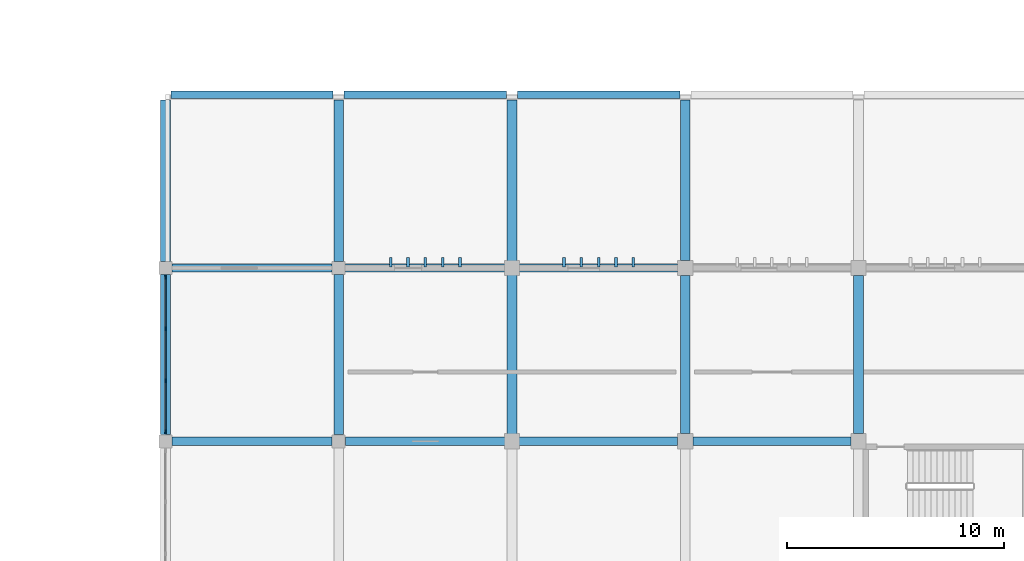
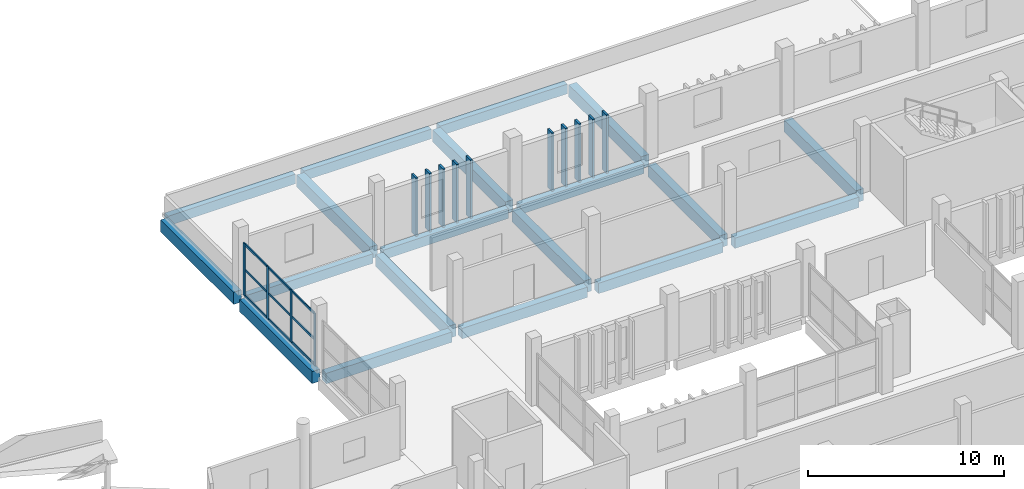
# One storey, part 34 of 137: 23 members, 19 beams, 1 element without a shape of its own.
"""IFC4 building model written with IfcOpenShell, lengths in metres."""

from ifc_helpers import new_model, si_unit, direction, frame, origin, origin_2d, place, context, subcontext, project, spatial, rectangle, extrude, material, layer, layer_set, material_profile, profile_set, type_object, element, aggregate, save


model = new_model("IFC4")

# Units and contexts
model_context = context("Model", 3, precision=1e-05, world=origin(), true_north=direction((0.0, 1.0)))
body_context = subcontext(model_context, "Body", "Model", "MODEL_VIEW")
ifc_project = project(units=[si_unit("LENGTHUNIT", "METRE"), si_unit("AREAUNIT", "SQUARE_METRE"), si_unit("VOLUMEUNIT", "CUBIC_METRE"), si_unit("PLANEANGLEUNIT", "RADIAN"), si_unit("MASSUNIT", "GRAM", prefix="KILO")], contexts=[model_context])

# Site, building, storey
site_placement = place(None, origin())
site = spatial("IfcSite", under=ifc_project, at=site_placement, CompositionType="ELEMENT")
building_placement = place(site_placement, origin())
building = spatial("IfcBuilding", under=site, at=building_placement, Name="Jelvoka-Kovrelna Polytechnic", CompositionType="ELEMENT")
storey_placement = place(building_placement, frame((0.0, 0.0, 9.60009765625)))
storey = spatial("IfcBuildingStorey", under=building, at=storey_placement, Name="L03", CompositionType="ELEMENT", Elevation=9.60009765625)

# Beams
ifc_material_1 = material(Name="Concrete C40/50", Category="concrete")
ifc_material_profile_1 = material_profile(ifc_material_1, rectangle(XDim=0.39990234375, YDim=0.64990234375, at=origin_2d()), Name="RC 400x650")
ifc_profile_set_1 = profile_set([ifc_material_profile_1], Name="Concrete C40/50")
beam_type_1 = type_object("IfcBeamType", Name="Beam_RC_400x650", PredefinedType="BEAM", material=ifc_profile_set_1)
beam_1_placement = place(storey_placement, frame((56.304931640625, 64.0, -0.590087890625), z_axis=(1.0, 0.0, 0.0), x_axis=(0.0, 1.0, 0.0)))
element("IfcBeam", 1, at=beam_1_placement, inside=storey, type_object=beam_type_1, Name="L03 beam 1011", PredefinedType="BEAM", context=body_context, shape_type="SweptSolid", body=[
    extrude(rectangle(XDim=0.39990234375, YDim=0.64990234375, at=origin_2d()), origin(), (0.0, 0.0, 1.0), 7.364990234375),
])
beam_2_placement = place(storey_placement, frame((64.330078125, 64.0, -0.590087890625), z_axis=(1.0, 0.0, 0.0), x_axis=(0.0, 1.0, 0.0)))
element("IfcBeam", 2, at=beam_2_placement, inside=storey, type_object=beam_type_1, Name="L03 beam 1012", PredefinedType="BEAM", context=body_context, shape_type="SweptSolid", body=[
    extrude(rectangle(XDim=0.39990234375, YDim=0.64990234375, at=origin_2d()), origin(), (0.0, 0.0, 1.0), 7.31494140625),
])
beam_3_placement = place(storey_placement, frame((72.35498046875, 64.0, -0.590087890625), z_axis=(1.0, 0.0, 0.0), x_axis=(0.0, 1.0, 0.0)))
element("IfcBeam", 3, at=beam_3_placement, inside=storey, type_object=beam_type_1, Name="L03 beam 1013", PredefinedType="BEAM", context=body_context, shape_type="SweptSolid", body=[
    extrude(rectangle(XDim=0.39990234375, YDim=0.64990234375, at=origin_2d()), origin(), (0.0, 0.0, 1.0), 7.2900390625),
])
beam_4_placement = place(storey_placement, frame((48.304931640625, 64.0, -0.590087890625), z_axis=(1.0, 0.0, 0.0), x_axis=(0.0, 1.0, 0.0)))
element("IfcBeam", 4, at=beam_4_placement, inside=storey, type_object=beam_type_1, Name="L03 beam 1094", PredefinedType="BEAM", context=body_context, shape_type="SweptSolid", body=[
    extrude(rectangle(XDim=0.39990234375, YDim=0.64990234375, at=origin_2d()), origin(), (0.0, 0.0, 1.0), 7.39013671875),
])
ifc_material_2 = material(Name="Concrete C40/50", Category="concrete")
ifc_material_profile_2 = material_profile(ifc_material_2, rectangle(XDim=0.449951171875, YDim=0.75, at=origin_2d()), Name="RC 450x750")
ifc_profile_set_2 = profile_set([ifc_material_profile_2], Name="Concrete C40/50")
beam_type_2 = type_object("IfcBeamType", Name="Beam_RC_450x750", PredefinedType="BEAM", material=ifc_profile_set_2)
beam_5_placement = place(storey_placement, frame((56.0, 64.304931640625, -0.64013671875), z_axis=(0.0, 1.0, 0.0), x_axis=(-1.0, 0.0, 0.0)))
element("IfcBeam", 5, at=beam_5_placement, inside=storey, type_object=beam_type_2, Name="L03 beam 1025", PredefinedType="BEAM", context=body_context, shape_type="SweptSolid", body=[
    extrude(rectangle(XDim=0.449951171875, YDim=0.75, at=origin_2d()), origin(), (0.0, 0.0, 1.0), 7.39013671875),
])
beam_6_placement = place(storey_placement, frame((64.0, 64.330078125, -0.64013671875), z_axis=(0.0, 1.0, 0.0), x_axis=(-1.0, 0.0, 0.0)))
element("IfcBeam", 6, at=beam_6_placement, inside=storey, type_object=beam_type_2, Name="L03 beam 1027", PredefinedType="BEAM", context=body_context, shape_type="SweptSolid", body=[
    extrude(rectangle(XDim=0.449951171875, YDim=0.75, at=origin_2d()), origin(), (0.0, 0.0, 1.0), 7.33984375),
])
for number, where, z_axis, x_axis, name in (
    (7, (72.0, 64.35498046875, -0.64013671875), (0.0, 1.0, 0.0), (-1.0, 0.0, 0.0), "L03 beam 1029"),
    (8, (80.0, 64.35498046875, -0.64013671875), (0.0, 1.0, 0.0), (-1.0, 0.0, 0.0), "L03 beam 1031"),
):
    element("IfcBeam", number, at=place(storey_placement, frame(where, z_axis=z_axis, x_axis=x_axis)), inside=storey, type_object=beam_type_2, Name=name, PredefinedType="BEAM", context=body_context, shape_type="SweptSolid", body=[
        extrude(rectangle(XDim=0.449951171875, YDim=0.75, at=origin_2d()), origin(), (0.0, 0.0, 1.0), 7.2900390625),
    ])
beam_7_placement = place(storey_placement, frame((48.0, 64.304931640625, -0.64013671875), z_axis=(0.0, 1.0, 0.0), x_axis=(-1.0, 0.0, 0.0)))
element("IfcBeam", 9, at=beam_7_placement, inside=storey, type_object=beam_type_2, Name="L03 beam 1101", PredefinedType="BEAM", context=body_context, shape_type="SweptSolid", body=[
    extrude(rectangle(XDim=0.449951171875, YDim=0.75, at=origin_2d()), origin(), (0.0, 0.0, 1.0), 7.39013671875),
])
for number, where, z_axis, x_axis, name in (
    (10, (48.0, 72.304931640625, -0.565185546875), (0.0, 1.0, 0.0), (-1.0, 0.0, 0.0), "L03 beam 2066"),
    (11, (56.0, 72.304931640625, -0.565185546875), (0.0, 1.0, 0.0), (-1.0, 0.0, 0.0), "L03 beam 2067"),
):
    element("IfcBeam", number, at=place(storey_placement, frame(where, z_axis=z_axis, x_axis=x_axis)), inside=storey, type_object=beam_type_2, Name=name, PredefinedType="BEAM", context=body_context, shape_type="SweptSolid", body=[
        extrude(rectangle(XDim=0.449951171875, YDim=0.75, at=origin_2d()), origin(), (0.0, 0.0, 1.0), 7.440185546875),
    ])
beam_8_placement = place(storey_placement, frame((64.0, 72.330078125, -0.565185546875), z_axis=(0.0, 1.0, 0.0), x_axis=(-1.0, 0.0, 0.0)))
element("IfcBeam", 12, at=beam_8_placement, inside=storey, type_object=beam_type_2, Name="L03 beam 2068", PredefinedType="BEAM", context=body_context, shape_type="SweptSolid", body=[
    extrude(rectangle(XDim=0.449951171875, YDim=0.75, at=origin_2d()), origin(), (0.0, 0.0, 1.0), 7.4150390625),
])
beam_9_placement = place(storey_placement, frame((72.0, 72.35498046875, -0.565185546875), z_axis=(0.0, 1.0, 0.0), x_axis=(-1.0, 0.0, 0.0)))
element("IfcBeam", 13, at=beam_9_placement, inside=storey, type_object=beam_type_2, Name="L03 beam 2069", PredefinedType="BEAM", context=body_context, shape_type="SweptSolid", body=[
    extrude(rectangle(XDim=0.449951171875, YDim=0.75, at=origin_2d()), origin(), (0.0, 0.0, 1.0), 7.39013671875),
])

# Members
ifc_material_3 = material(Name="Precast concrete C40/50", Category="concrete")
ifc_material_profile_3 = material_profile(ifc_material_3, rectangle(XDim=0.1201171875, YDim=0.449951171875, at=origin_2d()), Name="PC 120x450")
ifc_profile_set_3 = profile_set([ifc_material_profile_3], Name="Precast concrete C40/50")
member_type_1 = type_object("IfcMemberType", Name="Louvre_Fin_120x450", PredefinedType="USERDEFINED", material=ifc_profile_set_3)
for number, where, z_axis, x_axis, name in (
    (14, (58.39990234375, 72.264892578125, -0.27001953125), (0.0, 0.0, 1.0), (1.0, 0.0, 0.0), "L03 B3 north vertical solar louvre fin 1466"),
    (15, (59.199951171875, 72.264892578125, -0.27001953125), (0.0, 0.0, 1.0), (1.0, 0.0, 0.0), "L03 B3 north vertical solar louvre fin 1467"),
    (16, (60.0, 72.264892578125, -0.27001953125), (0.0, 0.0, 1.0), (1.0, 0.0, 0.0), "L03 B3 north vertical solar louvre fin 1468"),
    (17, (60.800048828125, 72.264892578125, -0.27001953125), (0.0, 0.0, 1.0), (1.0, 0.0, 0.0), "L03 B3 north vertical solar louvre fin 1469"),
    (18, (61.60009765625, 72.264892578125, -0.27001953125), (0.0, 0.0, 1.0), (1.0, 0.0, 0.0), "L03 B3 north vertical solar louvre fin 1470"),
    (19, (66.39990234375, 72.264892578125, -0.27001953125), (0.0, 0.0, 1.0), (1.0, 0.0, 0.0), "L03 B3 north vertical solar louvre fin 1476"),
    (20, (67.199951171875, 72.264892578125, -0.27001953125), (0.0, 0.0, 1.0), (1.0, 0.0, 0.0), "L03 B3 north vertical solar louvre fin 1477"),
    (21, (68.0, 72.264892578125, -0.27001953125), (0.0, 0.0, 1.0), (1.0, 0.0, 0.0), "L03 B3 north vertical solar louvre fin 1478"),
    (22, (68.800048828125, 72.264892578125, -0.27001953125), (0.0, 0.0, 1.0), (1.0, 0.0, 0.0), "L03 B3 north vertical solar louvre fin 1479"),
    (23, (69.60009765625, 72.264892578125, -0.27001953125), (0.0, 0.0, 1.0), (1.0, 0.0, 0.0), "L03 B3 north vertical solar louvre fin 1480"),
):
    element("IfcMember", number, at=place(storey_placement, frame(where, z_axis=z_axis, x_axis=x_axis)), inside=storey, type_object=member_type_1, Name=name, ObjectType="SUNSHADE", PredefinedType="USERDEFINED", context=body_context, shape_type="SweptSolid", body=[
        extrude(rectangle(XDim=0.1201171875, YDim=0.449951171875, at=origin_2d()), origin(), (0.0, 0.0, 1.0), 3.64501953125),
    ])

# Curtain wall, members
ifc_material_4 = material(Name="Anodised aluminium 6063-T6", Category="aluminium")
ifc_layer = layer(ifc_material_4, 0.179931640625)
ifc_layer_set = layer_set([ifc_layer], Name="Anodised aluminium 6063-T6")
curtain_wall_type = type_object("IfcCurtainWallType", Name="CW_Pavilion", PredefinedType="NOTDEFINED", material=ifc_layer_set)
curtain_wall_placement = place(storey_placement, origin())
curtain_wall = element("IfcCurtainWall", 24, at=curtain_wall_placement, inside=storey, type_object=curtain_wall_type, Name="L03 glazed curtain wall 131", PredefinedType="NOTDEFINED")
ifc_material_5 = material(Name="Anodised aluminium 6063-T6", Category="aluminium")
ifc_material_profile_4 = material_profile(ifc_material_5, rectangle(XDim=0.06494140625, YDim=0.179931640625, at=origin_2d()), Name="ALU 65x180")
ifc_profile_set_4 = profile_set([ifc_material_profile_4], Name="Anodised aluminium 6063-T6")
member_type_2 = type_object("IfcMemberType", Name="Mullion_M-05", PredefinedType="MULLION", material=ifc_profile_set_4)
member_1_placement = place(storey_placement, frame((48.0, 64.4326171875, -0.02490234375), z_axis=(0.0, 0.0, 1.0), x_axis=(-1.0, 0.0, 0.0)))
member_1 = element("IfcMember", 25, at=member_1_placement, type_object=member_type_2, Name="CW-05 mullion 1", PredefinedType="MULLION", context=body_context, shape_type="SweptSolid", body=[
    extrude(rectangle(XDim=0.06494140625, YDim=0.179931640625, at=origin_2d()), origin(), (0.0, 0.0, 1.0), 3.27490234375),
])
member_2_placement = place(storey_placement, frame((48.0, 66.800048828125, -0.02490234375), z_axis=(0.0, 0.0, 1.0), x_axis=(-1.0, 0.0, 0.0)))
member_2 = element("IfcMember", 26, at=member_2_placement, type_object=member_type_2, Name="CW-05 mullion 2", PredefinedType="MULLION", context=body_context, shape_type="SweptSolid", body=[
    extrude(rectangle(XDim=0.06494140625, YDim=0.179931640625, at=origin_2d()), origin(), (0.0, 0.0, 1.0), 3.27490234375),
])
member_3_placement = place(storey_placement, frame((48.0, 69.199951171875, -0.02490234375), z_axis=(0.0, 0.0, 1.0), x_axis=(-1.0, 0.0, 0.0)))
member_3 = element("IfcMember", 27, at=member_3_placement, type_object=member_type_2, Name="CW-05 mullion 3", PredefinedType="MULLION", context=body_context, shape_type="SweptSolid", body=[
    extrude(rectangle(XDim=0.06494140625, YDim=0.179931640625, at=origin_2d()), origin(), (0.0, 0.0, 1.0), 3.27490234375),
])
member_4_placement = place(storey_placement, frame((48.0, 71.5673828125, -0.02490234375), z_axis=(0.0, 0.0, 1.0), x_axis=(-1.0, 0.0, 0.0)))
member_4 = element("IfcMember", 28, at=member_4_placement, type_object=member_type_2, Name="CW-05 mullion 4", PredefinedType="MULLION", context=body_context, shape_type="SweptSolid", body=[
    extrude(rectangle(XDim=0.06494140625, YDim=0.179931640625, at=origin_2d()), origin(), (0.0, 0.0, 1.0), 3.27490234375),
])

# Beams
ifc_material_6 = material(Name="Concrete C40/50", Category="concrete")
ifc_material_profile_5 = material_profile(ifc_material_6, rectangle(XDim=0.35009765625, YDim=0.60009765625, at=origin_2d()), Name="RC 350x600")
ifc_profile_set_5 = profile_set([ifc_material_profile_5], Name="Concrete C40/50")
beam_type_3 = type_object("IfcBeamType", Name="Spandrel_RC_350x600", PredefinedType="SPANDREL", material=ifc_profile_set_5)
beam_10_placement = place(storey_placement, frame((56.304931640625, 72.0, -0.565185546875), z_axis=(1.0, 0.0, 0.0), x_axis=(0.0, 1.0, 0.0)))
element("IfcBeam", 29, at=beam_10_placement, inside=storey, type_object=beam_type_3, Name="L03 beam 1017", PredefinedType="SPANDREL", context=body_context, shape_type="SweptSolid", body=[
    extrude(rectangle(XDim=0.35009765625, YDim=0.60009765625, at=origin_2d()), origin(), (0.0, 0.0, 1.0), 7.364990234375),
])
beam_11_placement = place(storey_placement, frame((64.330078125, 72.0, -0.565185546875), z_axis=(1.0, 0.0, 0.0), x_axis=(0.0, 1.0, 0.0)))
element("IfcBeam", 30, at=beam_11_placement, inside=storey, type_object=beam_type_3, Name="L03 beam 1018", PredefinedType="SPANDREL", context=body_context, shape_type="SweptSolid", body=[
    extrude(rectangle(XDim=0.35009765625, YDim=0.60009765625, at=origin_2d()), origin(), (0.0, 0.0, 1.0), 7.31494140625),
])
beam_12_placement = place(storey_placement, frame((48.304931640625, 72.0, -0.565185546875), z_axis=(1.0, 0.0, 0.0), x_axis=(0.0, 1.0, 0.0)))
element("IfcBeam", 31, at=beam_12_placement, inside=storey, type_object=beam_type_3, Name="L03 beam 1095", PredefinedType="SPANDREL", context=body_context, shape_type="SweptSolid", body=[
    extrude(rectangle(XDim=0.35009765625, YDim=0.60009765625, at=origin_2d()), origin(), (0.0, 0.0, 1.0), 7.39013671875),
])
for number, where, z_axis, x_axis, name in (
    (32, (48.2548828125, 80.0, -0.489990234375), (1.0, 0.0, 0.0), (0.0, 1.0, 0.0), "L03 beam 2061"),
    (33, (56.2548828125, 80.0, -0.489990234375), (1.0, 0.0, 0.0), (0.0, 1.0, 0.0), "L03 beam 2062"),
    (34, (64.2548828125, 80.0, -0.489990234375), (1.0, 0.0, 0.0), (0.0, 1.0, 0.0), "L03 beam 2063"),
):
    element("IfcBeam", number, at=place(storey_placement, frame(where, z_axis=z_axis, x_axis=x_axis)), inside=storey, type_object=beam_type_3, Name=name, PredefinedType="SPANDREL", context=body_context, shape_type="SweptSolid", body=[
        extrude(rectangle(XDim=0.35009765625, YDim=0.60009765625, at=origin_2d()), origin(), (0.0, 0.0, 1.0), 7.490234375),
    ])

# Member
ifc_material_7 = material(Name="Anodised aluminium 6063-T6", Category="aluminium")
ifc_material_profile_6 = material_profile(ifc_material_7, rectangle(XDim=0.06494140625, YDim=0.135009765625, at=origin_2d()), Name="ALU 65x135")
ifc_profile_set_6 = profile_set([ifc_material_profile_6], Name="Anodised aluminium 6063-T6")
member_type_3 = type_object("IfcMemberType", Name="Transom_T-05", PredefinedType="USERDEFINED", material=ifc_profile_set_6)
member_5_placement = place(storey_placement, frame((48.0, 64.465087890625, 0.032470703125), z_axis=(0.0, 1.0, 0.0), x_axis=(-1.0, 0.0, 0.0)))
member_5 = element("IfcMember", 35, at=member_5_placement, type_object=member_type_3, Name="CW-05 transom 1.1", ObjectType="TRANSOM", PredefinedType="USERDEFINED", context=body_context, shape_type="SweptSolid", body=[
    extrude(rectangle(XDim=0.06494140625, YDim=0.135009765625, at=origin_2d()), origin(), (0.0, 0.0, 1.0), 2.302490234375),
])

member_6_placement = place(storey_placement, frame((48.0, 64.465087890625, 1.6123046875), z_axis=(0.0, 1.0, 0.0), x_axis=(-1.0, 0.0, 0.0)))
member_6 = element("IfcMember", 36, at=member_6_placement, type_object=member_type_3, Name="CW-05 transom 1.2", ObjectType="TRANSOM", PredefinedType="USERDEFINED", context=body_context, shape_type="SweptSolid", body=[
    extrude(rectangle(XDim=0.06494140625, YDim=0.135009765625, at=origin_2d()), origin(), (0.0, 0.0, 1.0), 2.302490234375),
])

member_7_placement = place(storey_placement, frame((48.0, 64.465087890625, 3.1923828125), z_axis=(0.0, 1.0, 0.0), x_axis=(-1.0, 0.0, 0.0)))
member_7 = element("IfcMember", 37, at=member_7_placement, type_object=member_type_3, Name="CW-05 transom 1.3", ObjectType="TRANSOM", PredefinedType="USERDEFINED", context=body_context, shape_type="SweptSolid", body=[
    extrude(rectangle(XDim=0.06494140625, YDim=0.135009765625, at=origin_2d()), origin(), (0.0, 0.0, 1.0), 2.302490234375),
])

member_8_placement = place(storey_placement, frame((48.0, 66.83251953125, 0.032470703125), z_axis=(0.0, 1.0, 0.0), x_axis=(-1.0, 0.0, 0.0)))
member_8 = element("IfcMember", 38, at=member_8_placement, type_object=member_type_3, Name="CW-05 transom 2.1", ObjectType="TRANSOM", PredefinedType="USERDEFINED", context=body_context, shape_type="SweptSolid", body=[
    extrude(rectangle(XDim=0.06494140625, YDim=0.135009765625, at=origin_2d()), origin(), (0.0, 0.0, 1.0), 2.3349609375),
])

member_9_placement = place(storey_placement, frame((48.0, 66.83251953125, 1.6123046875), z_axis=(0.0, 1.0, 0.0), x_axis=(-1.0, 0.0, 0.0)))
member_9 = element("IfcMember", 39, at=member_9_placement, type_object=member_type_3, Name="CW-05 transom 2.2", ObjectType="TRANSOM", PredefinedType="USERDEFINED", context=body_context, shape_type="SweptSolid", body=[
    extrude(rectangle(XDim=0.06494140625, YDim=0.135009765625, at=origin_2d()), origin(), (0.0, 0.0, 1.0), 2.3349609375),
])

member_10_placement = place(storey_placement, frame((48.0, 66.83251953125, 3.1923828125), z_axis=(0.0, 1.0, 0.0), x_axis=(-1.0, 0.0, 0.0)))
member_10 = element("IfcMember", 40, at=member_10_placement, type_object=member_type_3, Name="CW-05 transom 2.3", ObjectType="TRANSOM", PredefinedType="USERDEFINED", context=body_context, shape_type="SweptSolid", body=[
    extrude(rectangle(XDim=0.06494140625, YDim=0.135009765625, at=origin_2d()), origin(), (0.0, 0.0, 1.0), 2.3349609375),
])

member_11_placement = place(storey_placement, frame((48.0, 69.232421875, 0.032470703125), z_axis=(0.0, 1.0, 0.0), x_axis=(-1.0, 0.0, 0.0)))
member_11 = element("IfcMember", 41, at=member_11_placement, type_object=member_type_3, Name="CW-05 transom 3.1", ObjectType="TRANSOM", PredefinedType="USERDEFINED", context=body_context, shape_type="SweptSolid", body=[
    extrude(rectangle(XDim=0.06494140625, YDim=0.135009765625, at=origin_2d()), origin(), (0.0, 0.0, 1.0), 2.302490234375),
])

member_12_placement = place(storey_placement, frame((48.0, 69.232421875, 1.6123046875), z_axis=(0.0, 1.0, 0.0), x_axis=(-1.0, 0.0, 0.0)))
member_12 = element("IfcMember", 42, at=member_12_placement, type_object=member_type_3, Name="CW-05 transom 3.2", ObjectType="TRANSOM", PredefinedType="USERDEFINED", context=body_context, shape_type="SweptSolid", body=[
    extrude(rectangle(XDim=0.06494140625, YDim=0.135009765625, at=origin_2d()), origin(), (0.0, 0.0, 1.0), 2.302490234375),
])

member_13_placement = place(storey_placement, frame((48.0, 69.232421875, 3.1923828125), z_axis=(0.0, 1.0, 0.0), x_axis=(-1.0, 0.0, 0.0)))
member_13 = element("IfcMember", 43, at=member_13_placement, type_object=member_type_3, Name="CW-05 transom 3.3", ObjectType="TRANSOM", PredefinedType="USERDEFINED", context=body_context, shape_type="SweptSolid", body=[
    extrude(rectangle(XDim=0.06494140625, YDim=0.135009765625, at=origin_2d()), origin(), (0.0, 0.0, 1.0), 2.302490234375),
])

aggregate(curtain_wall, [member_1, member_2, member_3, member_4, member_5, member_6, member_7, member_8, member_9, member_10, member_11, member_12, member_13])

save(model, "model.ifc")
